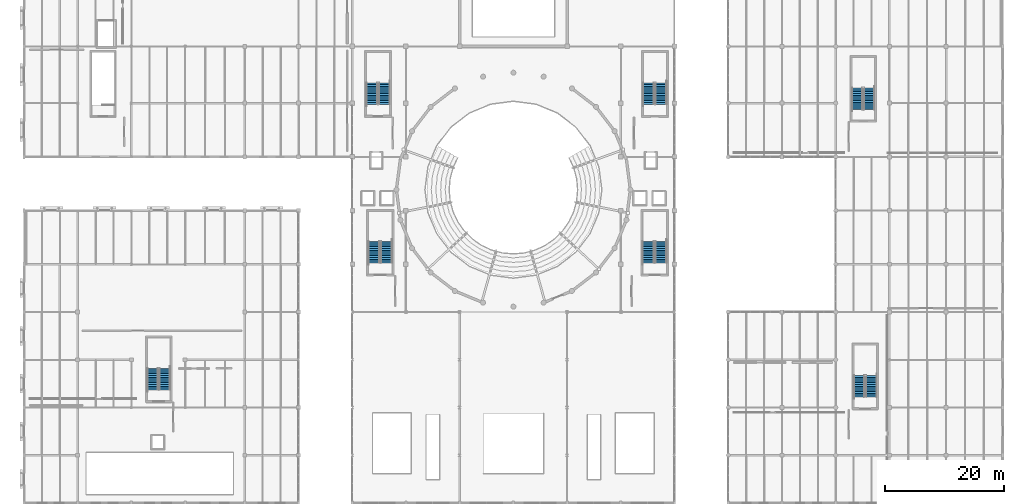
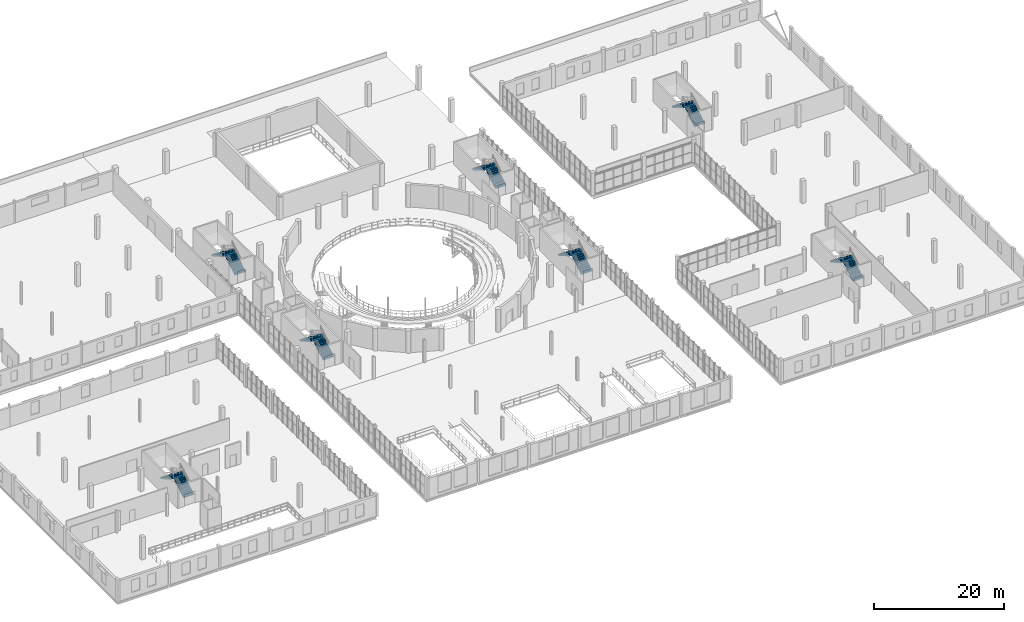
# One storey, part 70 of 85: 14 stair flights, 7 elements without a shape of their own.
"""IFC4 building model written with IfcOpenShell, lengths in metres."""

from ifc_helpers import new_model, si_unit, direction, frame, origin, place, context, subcontext, project, spatial, polyline, outline, extrude, material, type_object, element, aggregate, save


model = new_model("IFC4")

# Units and contexts
model_context = context("Model", 3, precision=1e-05, world=origin(), true_north=direction((0.0, 1.0)))
body_context = subcontext(model_context, "Body", "Model", "MODEL_VIEW")
ifc_project = project(units=[si_unit("LENGTHUNIT", "METRE"), si_unit("AREAUNIT", "SQUARE_METRE"), si_unit("VOLUMEUNIT", "CUBIC_METRE"), si_unit("PLANEANGLEUNIT", "RADIAN"), si_unit("MASSUNIT", "GRAM", prefix="KILO")], contexts=[model_context])

# Site, building, storey
site_placement = place(None, origin())
site = spatial("IfcSite", under=ifc_project, at=site_placement, CompositionType="ELEMENT")
building_placement = place(site_placement, origin())
building = spatial("IfcBuilding", under=site, at=building_placement, Name="Marnock Terrace Opera House", CompositionType="ELEMENT")
storey_placement = place(building_placement, frame((0.0, 0.0, 10.199951171875)))
storey = spatial("IfcBuildingStorey", under=building, at=storey_placement, Name="L02", CompositionType="ELEMENT", Elevation=10.199951171875)

# Stair, stair flights
ifc_material = material(Name="Concrete N40 (f'c = 40 MPa)", Category="concrete")
stair_type_1 = type_object("IfcStairType", Name="ST-TYPE-2000", PredefinedType="HALF_TURN_STAIR", material=ifc_material)
stair_1_placement = place(storey_placement, origin())
stair_1 = element("IfcStair", 1, at=stair_1_placement, inside=storey, type_object=stair_type_1, Name="L02 ST-08", PredefinedType="HALF_TURN_STAIR")
stair_flight_type_1 = type_object("IfcStairFlightType", Name="FLT-TYPE-2000", PredefinedType="STRAIGHT", material=ifc_material)
stair_flight_1_placement = place(storey_placement, frame((141.6201171875, 73.919921875, 0.0), z_axis=(0.0, 0.0, 1.0), x_axis=(0.0, 1.0, 0.0)))
stair_flight_1 = element("IfcStairFlight", 2, at=stair_flight_1_placement, type_object=stair_flight_type_1, Name="ST-08 flight 1", NumberOfRisers=13, NumberOfTreads=12, PredefinedType="STRAIGHT", RiserHeight=0.173076923, TreadLength=0.3, context=body_context, shape_type="SweptSolid", body=[
    extrude(outline(polyline([(-0.00048828125, -0.06005859375), (-0.00048828125, 0.0), (0.0, 0.0), (0.0, 0.173095703125), (0.300048828125, 0.173095703125), (0.300048828125, 0.34619140625), (0.60009765625, 0.34619140625), (0.60009765625, 0.519287109375), (0.89990234375, 0.519287109375), (0.89990234375, 0.6923828125), (1.199951171875, 0.6923828125), (1.199951171875, 0.865478515625), (1.5, 0.865478515625), (1.5, 1.03857421875), (1.800048828125, 1.03857421875), (1.800048828125, 1.21142578125), (2.10009765625, 1.21142578125), (2.10009765625, 1.384521484375), (2.39990234375, 1.384521484375), (2.39990234375, 1.5576171875), (2.699951171875, 1.5576171875), (2.699951171875, 1.730712890625), (3.0, 1.730712890625), (3.0, 1.90380859375), (3.300048828125, 1.90380859375), (3.300048828125, 2.076904296875), (3.60009765625, 2.076904296875), (3.60009765625, 2.25), (3.6005859375, 2.25), (3.6005859375, 1.90380859375), (3.60009765625, 1.90380859375), (0.300048828125, -0.06005859375), (-0.00048828125, -0.06005859375)])), frame((0.0, 0.89990234375, 0.0), z_axis=(0.0, -1.0, 0.0), x_axis=(1.0, 0.0, 0.0)), (0.0, 0.0, 1.0), 1.800048828125),
])
stair_flight_2_placement = place(storey_placement, frame((139.6201171875, 77.52001953125, 2.25), z_axis=(0.0, 0.0, 1.0), x_axis=(0.0, -1.0, 0.0)))
stair_flight_2 = element("IfcStairFlight", 3, at=stair_flight_2_placement, type_object=stair_flight_type_1, Name="ST-08 flight 2", NumberOfRisers=13, NumberOfTreads=12, PredefinedType="STRAIGHT", RiserHeight=0.173076923, TreadLength=0.3, context=body_context, shape_type="SweptSolid", body=[
    extrude(outline(polyline([(-0.00048828125, -0.06005859375), (-0.00048828125, 0.0), (0.0, 0.0), (0.0, 0.173095703125), (0.300048828125, 0.173095703125), (0.300048828125, 0.34619140625), (0.60009765625, 0.34619140625), (0.60009765625, 0.519287109375), (0.89990234375, 0.519287109375), (0.89990234375, 0.6923828125), (1.199951171875, 0.6923828125), (1.199951171875, 0.865478515625), (1.5, 0.865478515625), (1.5, 1.03857421875), (1.800048828125, 1.03857421875), (1.800048828125, 1.21142578125), (2.10009765625, 1.21142578125), (2.10009765625, 1.384521484375), (2.39990234375, 1.384521484375), (2.39990234375, 1.5576171875), (2.699951171875, 1.5576171875), (2.699951171875, 1.730712890625), (3.0, 1.730712890625), (3.0, 1.90380859375), (3.300048828125, 1.90380859375), (3.300048828125, 2.076904296875), (3.60009765625, 2.076904296875), (3.60009765625, 2.25), (3.6005859375, 2.25), (3.6005859375, 1.90380859375), (3.60009765625, 1.90380859375), (0.300048828125, -0.06005859375), (-0.00048828125, -0.06005859375)])), frame((0.0, 0.89990234375, 0.0), z_axis=(0.0, -1.0, 0.0), x_axis=(1.0, 0.0, 0.0)), (0.0, 0.0, 1.0), 1.800048828125),
])
aggregate(stair_1, [stair_flight_1, stair_flight_2])

stair_type_2 = type_object("IfcStairType", Name="ST-TYPE-2200", PredefinedType="HALF_TURN_STAIR", material=ifc_material)
stair_2_placement = place(storey_placement, origin())
stair_2 = element("IfcStair", 4, at=stair_2_placement, inside=storey, type_object=stair_type_2, Name="L02 ST-05", PredefinedType="HALF_TURN_STAIR")
stair_flight_type_2 = type_object("IfcStairFlightType", Name="FLT-TYPE-2200", PredefinedType="STRAIGHT", material=ifc_material)
stair_flight_3_placement = place(storey_placement, frame((23.60009765625, 26.9599609375, 0.0), z_axis=(0.0, 0.0, 1.0), x_axis=(0.0, 1.0, 0.0)))
stair_flight_3 = element("IfcStairFlight", 5, at=stair_flight_3_placement, type_object=stair_flight_type_2, Name="ST-05 flight 1", NumberOfRisers=13, NumberOfTreads=12, PredefinedType="STRAIGHT", RiserHeight=0.173076923, TreadLength=0.3, context=body_context, shape_type="SweptSolid", body=[
    extrude(outline(polyline([(-0.00048828125, -0.06005859375), (-0.00048828125, 0.0), (0.0, 0.0), (0.0, 0.173095703125), (0.300048828125, 0.173095703125), (0.300048828125, 0.34619140625), (0.60009765625, 0.34619140625), (0.60009765625, 0.519287109375), (0.89990234375, 0.519287109375), (0.89990234375, 0.6923828125), (1.199951171875, 0.6923828125), (1.199951171875, 0.865478515625), (1.5, 0.865478515625), (1.5, 1.03857421875), (1.800048828125, 1.03857421875), (1.800048828125, 1.21142578125), (2.10009765625, 1.21142578125), (2.10009765625, 1.384521484375), (2.39990234375, 1.384521484375), (2.39990234375, 1.5576171875), (2.699951171875, 1.5576171875), (2.699951171875, 1.730712890625), (3.0, 1.730712890625), (3.0, 1.90380859375), (3.300048828125, 1.90380859375), (3.300048828125, 2.076904296875), (3.60009765625, 2.076904296875), (3.60009765625, 2.25), (3.6005859375, 2.25), (3.6005859375, 1.90380859375), (3.60009765625, 1.90380859375), (0.300048828125, -0.06005859375), (-0.00048828125, -0.06005859375)])), frame((0.0, 0.919921875, 0.0), z_axis=(0.0, -1.0, 0.0), x_axis=(1.0, 0.0, 0.0)), (0.0, 0.0, 1.0), 1.840087890625),
])
stair_flight_4_placement = place(storey_placement, frame((21.56005859375, 30.56005859375, 2.25), z_axis=(0.0, 0.0, 1.0), x_axis=(0.0, -1.0, 0.0)))
stair_flight_4 = element("IfcStairFlight", 6, at=stair_flight_4_placement, type_object=stair_flight_type_2, Name="ST-05 flight 2", NumberOfRisers=13, NumberOfTreads=12, PredefinedType="STRAIGHT", RiserHeight=0.173076923, TreadLength=0.3, context=body_context, shape_type="SweptSolid", body=[
    extrude(outline(polyline([(-0.00048828125, -0.06005859375), (-0.00048828125, 0.0), (0.0, 0.0), (0.0, 0.173095703125), (0.300048828125, 0.173095703125), (0.300048828125, 0.34619140625), (0.60009765625, 0.34619140625), (0.60009765625, 0.519287109375), (0.89990234375, 0.519287109375), (0.89990234375, 0.6923828125), (1.199951171875, 0.6923828125), (1.199951171875, 0.865478515625), (1.5, 0.865478515625), (1.5, 1.03857421875), (1.800048828125, 1.03857421875), (1.800048828125, 1.21142578125), (2.10009765625, 1.21142578125), (2.10009765625, 1.384521484375), (2.39990234375, 1.384521484375), (2.39990234375, 1.5576171875), (2.699951171875, 1.5576171875), (2.699951171875, 1.730712890625), (3.0, 1.730712890625), (3.0, 1.90380859375), (3.300048828125, 1.90380859375), (3.300048828125, 2.076904296875), (3.60009765625, 2.076904296875), (3.60009765625, 2.25), (3.6005859375, 2.25), (3.6005859375, 1.90380859375), (3.60009765625, 1.90380859375), (0.300048828125, -0.06005859375), (-0.00048828125, -0.06005859375)])), frame((0.0, 0.919921875, 0.0), z_axis=(0.0, -1.0, 0.0), x_axis=(1.0, 0.0, 0.0)), (0.0, 0.0, 1.0), 1.840087890625),
])
aggregate(stair_2, [stair_flight_3, stair_flight_4])

stair_3_placement = place(storey_placement, origin())
stair_3 = element("IfcStair", 7, at=stair_3_placement, inside=storey, type_object=stair_type_2, Name="L02 ST-06", PredefinedType="HALF_TURN_STAIR")
stair_flight_5_placement = place(storey_placement, frame((142.0, 25.760009765625, 0.0), z_axis=(0.0, 0.0, 1.0), x_axis=(0.0, 1.0, 0.0)))
stair_flight_5 = element("IfcStairFlight", 8, at=stair_flight_5_placement, type_object=stair_flight_type_2, Name="ST-06 flight 1", NumberOfRisers=13, NumberOfTreads=12, PredefinedType="STRAIGHT", RiserHeight=0.173076923, TreadLength=0.3, context=body_context, shape_type="SweptSolid", body=[
    extrude(outline(polyline([(-0.00048828125, -0.06005859375), (-0.00048828125, 0.0), (0.0, 0.0), (0.0, 0.173095703125), (0.300048828125, 0.173095703125), (0.300048828125, 0.34619140625), (0.60009765625, 0.34619140625), (0.60009765625, 0.519287109375), (0.89990234375, 0.519287109375), (0.89990234375, 0.6923828125), (1.199951171875, 0.6923828125), (1.199951171875, 0.865478515625), (1.5, 0.865478515625), (1.5, 1.03857421875), (1.800048828125, 1.03857421875), (1.800048828125, 1.21142578125), (2.10009765625, 1.21142578125), (2.10009765625, 1.384521484375), (2.39990234375, 1.384521484375), (2.39990234375, 1.5576171875), (2.699951171875, 1.5576171875), (2.699951171875, 1.730712890625), (3.0, 1.730712890625), (3.0, 1.90380859375), (3.300048828125, 1.90380859375), (3.300048828125, 2.076904296875), (3.60009765625, 2.076904296875), (3.60009765625, 2.25), (3.6005859375, 2.25), (3.6005859375, 1.90380859375), (3.60009765625, 1.90380859375), (0.300048828125, -0.06005859375), (-0.00048828125, -0.06005859375)])), frame((0.0, 0.919921875, 0.0), z_axis=(0.0, -1.0, 0.0), x_axis=(1.0, 0.0, 0.0)), (0.0, 0.0, 1.0), 1.840087890625),
])
stair_flight_6_placement = place(storey_placement, frame((139.9599609375, 29.360107421875, 2.25), z_axis=(0.0, 0.0, 1.0), x_axis=(0.0, -1.0, 0.0)))
stair_flight_6 = element("IfcStairFlight", 9, at=stair_flight_6_placement, type_object=stair_flight_type_2, Name="ST-06 flight 2", NumberOfRisers=13, NumberOfTreads=12, PredefinedType="STRAIGHT", RiserHeight=0.173076923, TreadLength=0.3, context=body_context, shape_type="SweptSolid", body=[
    extrude(outline(polyline([(-0.00048828125, -0.06005859375), (-0.00048828125, 0.0), (0.0, 0.0), (0.0, 0.173095703125), (0.300048828125, 0.173095703125), (0.300048828125, 0.34619140625), (0.60009765625, 0.34619140625), (0.60009765625, 0.519287109375), (0.89990234375, 0.519287109375), (0.89990234375, 0.6923828125), (1.199951171875, 0.6923828125), (1.199951171875, 0.865478515625), (1.5, 0.865478515625), (1.5, 1.03857421875), (1.800048828125, 1.03857421875), (1.800048828125, 1.21142578125), (2.10009765625, 1.21142578125), (2.10009765625, 1.384521484375), (2.39990234375, 1.384521484375), (2.39990234375, 1.5576171875), (2.699951171875, 1.5576171875), (2.699951171875, 1.730712890625), (3.0, 1.730712890625), (3.0, 1.90380859375), (3.300048828125, 1.90380859375), (3.300048828125, 2.076904296875), (3.60009765625, 2.076904296875), (3.60009765625, 2.25), (3.6005859375, 2.25), (3.6005859375, 1.90380859375), (3.60009765625, 1.90380859375), (0.300048828125, -0.06005859375), (-0.00048828125, -0.06005859375)])), frame((0.0, 0.919921875, 0.0), z_axis=(0.0, -1.0, 0.0), x_axis=(1.0, 0.0, 0.0)), (0.0, 0.0, 1.0), 1.840087890625),
])
aggregate(stair_3, [stair_flight_5, stair_flight_6])

stair_type_3 = type_object("IfcStairType", Name="ST-TYPE-2400", PredefinedType="HALF_TURN_STAIR", material=ifc_material)
stair_4_placement = place(storey_placement, origin())
stair_4 = element("IfcStair", 10, at=stair_4_placement, inside=storey, type_object=stair_type_3, Name="L02 ST-03", PredefinedType="HALF_TURN_STAIR")
stair_flight_type_3 = type_object("IfcStairFlightType", Name="FLT-TYPE-2400", PredefinedType="STRAIGHT", material=ifc_material)
stair_flight_7_placement = place(storey_placement, frame((60.3798828125, 74.800048828125, 0.0), z_axis=(0.0, 0.0, 1.0), x_axis=(0.0, 1.0, 0.0)))
stair_flight_7 = element("IfcStairFlight", 11, at=stair_flight_7_placement, type_object=stair_flight_type_3, Name="ST-03 flight 1", NumberOfRisers=13, NumberOfTreads=12, PredefinedType="STRAIGHT", RiserHeight=0.173076923, TreadLength=0.3, context=body_context, shape_type="SweptSolid", body=[
    extrude(outline(polyline([(-0.00048828125, -0.06005859375), (-0.00048828125, 0.0), (0.0, 0.0), (0.0, 0.173095703125), (0.300048828125, 0.173095703125), (0.300048828125, 0.34619140625), (0.60009765625, 0.34619140625), (0.60009765625, 0.519287109375), (0.89990234375, 0.519287109375), (0.89990234375, 0.6923828125), (1.199951171875, 0.6923828125), (1.199951171875, 0.865478515625), (1.5, 0.865478515625), (1.5, 1.03857421875), (1.800048828125, 1.03857421875), (1.800048828125, 1.21142578125), (2.10009765625, 1.21142578125), (2.10009765625, 1.384521484375), (2.39990234375, 1.384521484375), (2.39990234375, 1.5576171875), (2.699951171875, 1.5576171875), (2.699951171875, 1.730712890625), (3.0, 1.730712890625), (3.0, 1.90380859375), (3.300048828125, 1.90380859375), (3.300048828125, 2.076904296875), (3.60009765625, 2.076904296875), (3.60009765625, 2.25), (3.6005859375, 2.25), (3.6005859375, 1.90380859375), (3.60009765625, 1.90380859375), (0.300048828125, -0.06005859375), (-0.00048828125, -0.06005859375)])), frame((0.0, 0.93994140625, 0.0), z_axis=(0.0, -1.0, 0.0), x_axis=(1.0, 0.0, 0.0)), (0.0, 0.0, 1.0), 1.8798828125),
])
stair_flight_8_placement = place(storey_placement, frame((58.300048828125, 78.39990234375, 2.25), z_axis=(0.0, 0.0, 1.0), x_axis=(0.0, -1.0, 0.0)))
stair_flight_8 = element("IfcStairFlight", 12, at=stair_flight_8_placement, type_object=stair_flight_type_3, Name="ST-03 flight 2", NumberOfRisers=13, NumberOfTreads=12, PredefinedType="STRAIGHT", RiserHeight=0.173076923, TreadLength=0.3, context=body_context, shape_type="SweptSolid", body=[
    extrude(outline(polyline([(-0.00048828125, -0.06005859375), (-0.00048828125, 0.0), (0.0, 0.0), (0.0, 0.173095703125), (0.300048828125, 0.173095703125), (0.300048828125, 0.34619140625), (0.60009765625, 0.34619140625), (0.60009765625, 0.519287109375), (0.89990234375, 0.519287109375), (0.89990234375, 0.6923828125), (1.199951171875, 0.6923828125), (1.199951171875, 0.865478515625), (1.5, 0.865478515625), (1.5, 1.03857421875), (1.800048828125, 1.03857421875), (1.800048828125, 1.21142578125), (2.10009765625, 1.21142578125), (2.10009765625, 1.384521484375), (2.39990234375, 1.384521484375), (2.39990234375, 1.5576171875), (2.699951171875, 1.5576171875), (2.699951171875, 1.730712890625), (3.0, 1.730712890625), (3.0, 1.90380859375), (3.300048828125, 1.90380859375), (3.300048828125, 2.076904296875), (3.60009765625, 2.076904296875), (3.60009765625, 2.25), (3.6005859375, 2.25), (3.6005859375, 1.90380859375), (3.60009765625, 1.90380859375), (0.300048828125, -0.06005859375), (-0.00048828125, -0.06005859375)])), frame((0.0, 0.93994140625, 0.0), z_axis=(0.0, -1.0, 0.0), x_axis=(1.0, 0.0, 0.0)), (0.0, 0.0, 1.0), 1.8798828125),
])
aggregate(stair_4, [stair_flight_7, stair_flight_8])

stair_5_placement = place(storey_placement, origin())
stair_5 = element("IfcStair", 13, at=stair_5_placement, inside=storey, type_object=stair_type_3, Name="L02 ST-04", PredefinedType="HALF_TURN_STAIR")
stair_flight_9_placement = place(storey_placement, frame((106.739990234375, 74.800048828125, 0.0), z_axis=(0.0, 0.0, 1.0), x_axis=(0.0, 1.0, 0.0)))
stair_flight_9 = element("IfcStairFlight", 14, at=stair_flight_9_placement, type_object=stair_flight_type_3, Name="ST-04 flight 1", NumberOfRisers=13, NumberOfTreads=12, PredefinedType="STRAIGHT", RiserHeight=0.173076923, TreadLength=0.3, context=body_context, shape_type="SweptSolid", body=[
    extrude(outline(polyline([(-0.00048828125, -0.06005859375), (-0.00048828125, 0.0), (0.0, 0.0), (0.0, 0.173095703125), (0.300048828125, 0.173095703125), (0.300048828125, 0.34619140625), (0.60009765625, 0.34619140625), (0.60009765625, 0.519287109375), (0.89990234375, 0.519287109375), (0.89990234375, 0.6923828125), (1.199951171875, 0.6923828125), (1.199951171875, 0.865478515625), (1.5, 0.865478515625), (1.5, 1.03857421875), (1.800048828125, 1.03857421875), (1.800048828125, 1.21142578125), (2.10009765625, 1.21142578125), (2.10009765625, 1.384521484375), (2.39990234375, 1.384521484375), (2.39990234375, 1.5576171875), (2.699951171875, 1.5576171875), (2.699951171875, 1.730712890625), (3.0, 1.730712890625), (3.0, 1.90380859375), (3.300048828125, 1.90380859375), (3.300048828125, 2.076904296875), (3.60009765625, 2.076904296875), (3.60009765625, 2.25), (3.6005859375, 2.25), (3.6005859375, 1.90380859375), (3.60009765625, 1.90380859375), (0.300048828125, -0.06005859375), (-0.00048828125, -0.06005859375)])), frame((0.0, 0.93994140625, 0.0), z_axis=(0.0, -1.0, 0.0), x_axis=(1.0, 0.0, 0.0)), (0.0, 0.0, 1.0), 1.8798828125),
])
stair_flight_10_placement = place(storey_placement, frame((104.659912109375, 78.39990234375, 2.25), z_axis=(0.0, 0.0, 1.0), x_axis=(0.0, -1.0, 0.0)))
stair_flight_10 = element("IfcStairFlight", 15, at=stair_flight_10_placement, type_object=stair_flight_type_3, Name="ST-04 flight 2", NumberOfRisers=13, NumberOfTreads=12, PredefinedType="STRAIGHT", RiserHeight=0.173076923, TreadLength=0.3, context=body_context, shape_type="SweptSolid", body=[
    extrude(outline(polyline([(-0.00048828125, -0.06005859375), (-0.00048828125, 0.0), (0.0, 0.0), (0.0, 0.173095703125), (0.300048828125, 0.173095703125), (0.300048828125, 0.34619140625), (0.60009765625, 0.34619140625), (0.60009765625, 0.519287109375), (0.89990234375, 0.519287109375), (0.89990234375, 0.6923828125), (1.199951171875, 0.6923828125), (1.199951171875, 0.865478515625), (1.5, 0.865478515625), (1.5, 1.03857421875), (1.800048828125, 1.03857421875), (1.800048828125, 1.21142578125), (2.10009765625, 1.21142578125), (2.10009765625, 1.384521484375), (2.39990234375, 1.384521484375), (2.39990234375, 1.5576171875), (2.699951171875, 1.5576171875), (2.699951171875, 1.730712890625), (3.0, 1.730712890625), (3.0, 1.90380859375), (3.300048828125, 1.90380859375), (3.300048828125, 2.076904296875), (3.60009765625, 2.076904296875), (3.60009765625, 2.25), (3.6005859375, 2.25), (3.6005859375, 1.90380859375), (3.60009765625, 1.90380859375), (0.300048828125, -0.06005859375), (-0.00048828125, -0.06005859375)])), frame((0.0, 0.93994140625, 0.0), z_axis=(0.0, -1.0, 0.0), x_axis=(1.0, 0.0, 0.0)), (0.0, 0.0, 1.0), 1.8798828125),
])
aggregate(stair_5, [stair_flight_9, stair_flight_10])

stair_type_4 = type_object("IfcStairType", Name="ST-TYPE-2600", PredefinedType="HALF_TURN_STAIR", material=ifc_material)
stair_6_placement = place(storey_placement, origin())
stair_6 = element("IfcStair", 16, at=stair_6_placement, inside=storey, type_object=stair_type_4, Name="L02 ST-01", PredefinedType="HALF_TURN_STAIR")
stair_flight_type_4 = type_object("IfcStairFlightType", Name="FLT-TYPE-2600", PredefinedType="STRAIGHT", material=ifc_material)
stair_flight_11_placement = place(storey_placement, frame((60.760009765625, 48.239990234375, 0.0), z_axis=(0.0, 0.0, 1.0), x_axis=(0.0, 1.0, 0.0)))
stair_flight_11 = element("IfcStairFlight", 17, at=stair_flight_11_placement, type_object=stair_flight_type_4, Name="ST-01 flight 1", NumberOfRisers=13, NumberOfTreads=12, PredefinedType="STRAIGHT", RiserHeight=0.173076923, TreadLength=0.3, context=body_context, shape_type="SweptSolid", body=[
    extrude(outline(polyline([(-0.00048828125, -0.06005859375), (-0.00048828125, 0.0), (0.0, 0.0), (0.0, 0.173095703125), (0.300048828125, 0.173095703125), (0.300048828125, 0.34619140625), (0.60009765625, 0.34619140625), (0.60009765625, 0.519287109375), (0.89990234375, 0.519287109375), (0.89990234375, 0.6923828125), (1.199951171875, 0.6923828125), (1.199951171875, 0.865478515625), (1.5, 0.865478515625), (1.5, 1.03857421875), (1.800048828125, 1.03857421875), (1.800048828125, 1.21142578125), (2.10009765625, 1.21142578125), (2.10009765625, 1.384521484375), (2.39990234375, 1.384521484375), (2.39990234375, 1.5576171875), (2.699951171875, 1.5576171875), (2.699951171875, 1.730712890625), (3.0, 1.730712890625), (3.0, 1.90380859375), (3.300048828125, 1.90380859375), (3.300048828125, 2.076904296875), (3.60009765625, 2.076904296875), (3.60009765625, 2.25), (3.6005859375, 2.25), (3.6005859375, 1.90380859375), (3.60009765625, 1.90380859375), (0.300048828125, -0.06005859375), (-0.00048828125, -0.06005859375)])), frame((0.0, 0.9599609375, 0.0), z_axis=(0.0, -1.0, 0.0), x_axis=(1.0, 0.0, 0.0)), (0.0, 0.0, 1.0), 1.919921875),
])
stair_flight_12_placement = place(storey_placement, frame((58.639892578125, 51.840087890625, 2.25), z_axis=(0.0, 0.0, 1.0), x_axis=(0.0, -1.0, 0.0)))
stair_flight_12 = element("IfcStairFlight", 18, at=stair_flight_12_placement, type_object=stair_flight_type_4, Name="ST-01 flight 2", NumberOfRisers=13, NumberOfTreads=12, PredefinedType="STRAIGHT", RiserHeight=0.173076923, TreadLength=0.3, context=body_context, shape_type="SweptSolid", body=[
    extrude(outline(polyline([(-0.00048828125, -0.06005859375), (-0.00048828125, 0.0), (0.0, 0.0), (0.0, 0.173095703125), (0.300048828125, 0.173095703125), (0.300048828125, 0.34619140625), (0.60009765625, 0.34619140625), (0.60009765625, 0.519287109375), (0.89990234375, 0.519287109375), (0.89990234375, 0.6923828125), (1.199951171875, 0.6923828125), (1.199951171875, 0.865478515625), (1.5, 0.865478515625), (1.5, 1.03857421875), (1.800048828125, 1.03857421875), (1.800048828125, 1.21142578125), (2.10009765625, 1.21142578125), (2.10009765625, 1.384521484375), (2.39990234375, 1.384521484375), (2.39990234375, 1.5576171875), (2.699951171875, 1.5576171875), (2.699951171875, 1.730712890625), (3.0, 1.730712890625), (3.0, 1.90380859375), (3.300048828125, 1.90380859375), (3.300048828125, 2.076904296875), (3.60009765625, 2.076904296875), (3.60009765625, 2.25), (3.6005859375, 2.25), (3.6005859375, 1.90380859375), (3.60009765625, 1.90380859375), (0.300048828125, -0.06005859375), (-0.00048828125, -0.06005859375)])), frame((0.0, 0.9599609375, 0.0), z_axis=(0.0, -1.0, 0.0), x_axis=(1.0, 0.0, 0.0)), (0.0, 0.0, 1.0), 1.919921875),
])
aggregate(stair_6, [stair_flight_11, stair_flight_12])

stair_7_placement = place(storey_placement, origin())
stair_7 = element("IfcStair", 19, at=stair_7_placement, inside=storey, type_object=stair_type_4, Name="L02 ST-02", PredefinedType="HALF_TURN_STAIR")
stair_flight_13_placement = place(storey_placement, frame((106.719970703125, 48.239990234375, 0.0), z_axis=(0.0, 0.0, 1.0), x_axis=(0.0, 1.0, 0.0)))
stair_flight_13 = element("IfcStairFlight", 20, at=stair_flight_13_placement, type_object=stair_flight_type_4, Name="ST-02 flight 1", NumberOfRisers=13, NumberOfTreads=12, PredefinedType="STRAIGHT", RiserHeight=0.173076923, TreadLength=0.3, context=body_context, shape_type="SweptSolid", body=[
    extrude(outline(polyline([(-0.00048828125, -0.06005859375), (-0.00048828125, 0.0), (0.0, 0.0), (0.0, 0.173095703125), (0.300048828125, 0.173095703125), (0.300048828125, 0.34619140625), (0.60009765625, 0.34619140625), (0.60009765625, 0.519287109375), (0.89990234375, 0.519287109375), (0.89990234375, 0.6923828125), (1.199951171875, 0.6923828125), (1.199951171875, 0.865478515625), (1.5, 0.865478515625), (1.5, 1.03857421875), (1.800048828125, 1.03857421875), (1.800048828125, 1.21142578125), (2.10009765625, 1.21142578125), (2.10009765625, 1.384521484375), (2.39990234375, 1.384521484375), (2.39990234375, 1.5576171875), (2.699951171875, 1.5576171875), (2.699951171875, 1.730712890625), (3.0, 1.730712890625), (3.0, 1.90380859375), (3.300048828125, 1.90380859375), (3.300048828125, 2.076904296875), (3.60009765625, 2.076904296875), (3.60009765625, 2.25), (3.6005859375, 2.25), (3.6005859375, 1.90380859375), (3.60009765625, 1.90380859375), (0.300048828125, -0.06005859375), (-0.00048828125, -0.06005859375)])), frame((0.0, 0.9599609375, 0.0), z_axis=(0.0, -1.0, 0.0), x_axis=(1.0, 0.0, 0.0)), (0.0, 0.0, 1.0), 1.919921875),
])
stair_flight_14_placement = place(storey_placement, frame((104.60009765625, 51.840087890625, 2.25), z_axis=(0.0, 0.0, 1.0), x_axis=(0.0, -1.0, 0.0)))
stair_flight_14 = element("IfcStairFlight", 21, at=stair_flight_14_placement, type_object=stair_flight_type_4, Name="ST-02 flight 2", NumberOfRisers=13, NumberOfTreads=12, PredefinedType="STRAIGHT", RiserHeight=0.173076923, TreadLength=0.3, context=body_context, shape_type="SweptSolid", body=[
    extrude(outline(polyline([(-0.00048828125, -0.06005859375), (-0.00048828125, 0.0), (0.0, 0.0), (0.0, 0.173095703125), (0.300048828125, 0.173095703125), (0.300048828125, 0.34619140625), (0.60009765625, 0.34619140625), (0.60009765625, 0.519287109375), (0.89990234375, 0.519287109375), (0.89990234375, 0.6923828125), (1.199951171875, 0.6923828125), (1.199951171875, 0.865478515625), (1.5, 0.865478515625), (1.5, 1.03857421875), (1.800048828125, 1.03857421875), (1.800048828125, 1.21142578125), (2.10009765625, 1.21142578125), (2.10009765625, 1.384521484375), (2.39990234375, 1.384521484375), (2.39990234375, 1.5576171875), (2.699951171875, 1.5576171875), (2.699951171875, 1.730712890625), (3.0, 1.730712890625), (3.0, 1.90380859375), (3.300048828125, 1.90380859375), (3.300048828125, 2.076904296875), (3.60009765625, 2.076904296875), (3.60009765625, 2.25), (3.6005859375, 2.25), (3.6005859375, 1.90380859375), (3.60009765625, 1.90380859375), (0.300048828125, -0.06005859375), (-0.00048828125, -0.06005859375)])), frame((0.0, 0.9599609375, 0.0), z_axis=(0.0, -1.0, 0.0), x_axis=(1.0, 0.0, 0.0)), (0.0, 0.0, 1.0), 1.919921875),
])
aggregate(stair_7, [stair_flight_13, stair_flight_14])

save(model, "model.ifc")
